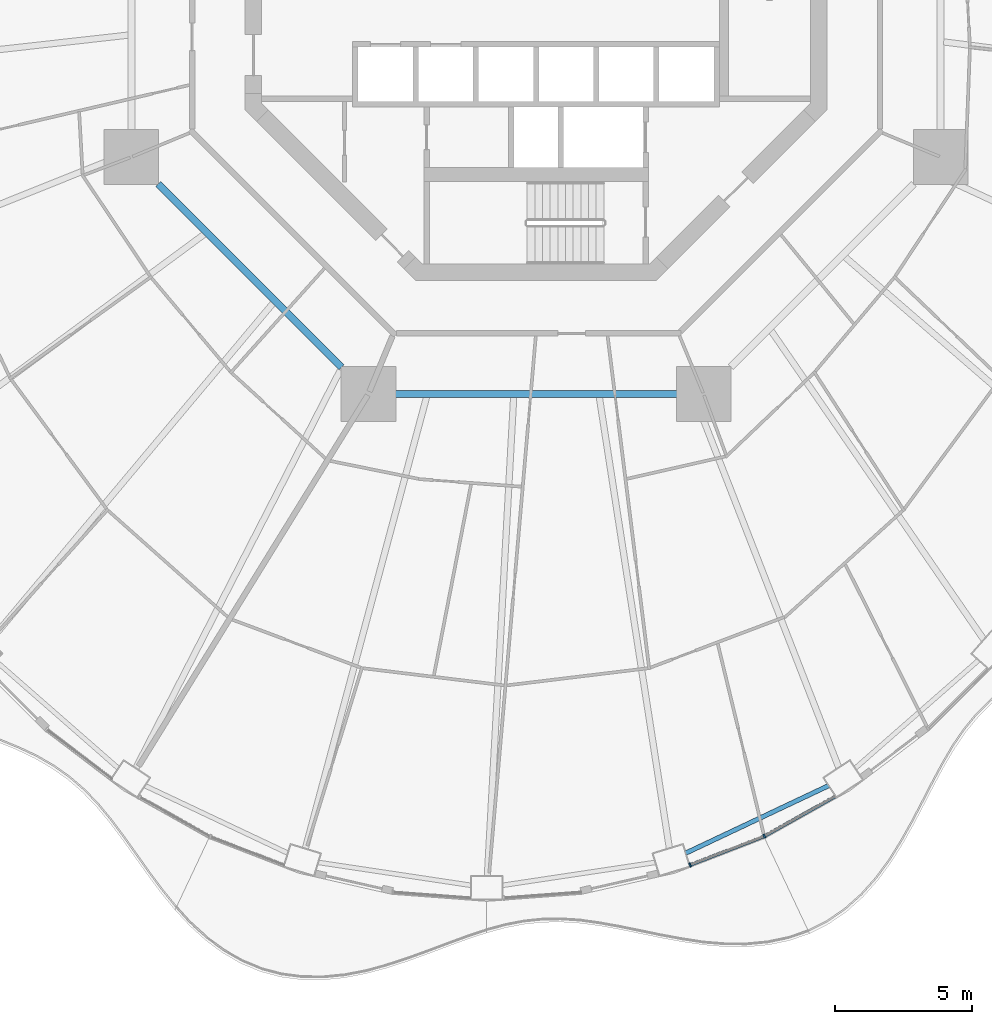
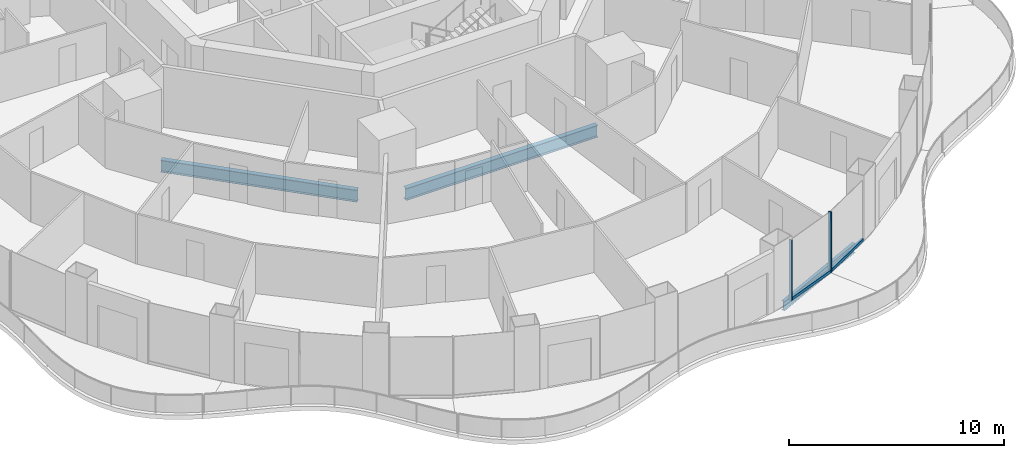
# One storey, part 4 of 20: 4 members, 3 beams, 2 elements without a shape of their own.
"""IFC4 building model written with IfcOpenShell, lengths in metres."""

from ifc_helpers import new_model, si_unit, direction, frame, origin, origin_2d, place, context, subcontext, project, spatial, rectangle, i_section, extrude, material, layer, layer_set, material_profile, profile_set, type_object, element, aggregate, save


model = new_model("IFC4")

# Units and contexts
model_context = context("Model", 3, precision=1e-05, world=origin(), true_north=direction((0.0, 1.0)))
body_context = subcontext(model_context, "Body", "Model", "MODEL_VIEW")
ifc_project = project(units=[si_unit("LENGTHUNIT", "METRE"), si_unit("AREAUNIT", "SQUARE_METRE"), si_unit("VOLUMEUNIT", "CUBIC_METRE"), si_unit("PLANEANGLEUNIT", "RADIAN"), si_unit("MASSUNIT", "GRAM", prefix="KILO")], contexts=[model_context])

# Site, building, storey
site_placement = place(None, origin())
site = spatial("IfcSite", under=ifc_project, at=site_placement, CompositionType="ELEMENT")
building_placement = place(site_placement, origin())
building = spatial("IfcBuilding", under=site, at=building_placement, Name="Nagisa Residences", CompositionType="ELEMENT")
storey_placement = place(building_placement, frame((0.0, 0.0, 145.5)))
storey = spatial("IfcBuildingStorey", under=building, at=storey_placement, Name="L36", CompositionType="ELEMENT", Elevation=145.5)

# Curtain wall, member
ifc_material_1 = material(Name="Concrete-coloured aluminium curtain wall system", Category="concrete")
ifc_layer = layer(ifc_material_1, 0.159912109375)
ifc_layer_set = layer_set([ifc_layer], Name="CW1 CURTAIN WALL")
curtain_wall_type = type_object("IfcCurtainWallType", Name="CW1 CURTAIN WALL", PredefinedType="NOTDEFINED", material=ifc_layer_set)
curtain_wall_1_placement = place(storey_placement, origin())
curtain_wall_1 = element("IfcCurtainWall", 1, at=curtain_wall_1_placement, inside=storey, type_object=curtain_wall_type, Name="cw:CW1:L36:38", PredefinedType="NOTDEFINED")
ifc_material_2 = material(Name="Concrete-coloured aluminium", Category="concrete")
ifc_material_profile_1 = material_profile(ifc_material_2, rectangle(XDim=0.159912109375, YDim=0.06005859375, at=origin_2d()), Name="CW1 MULLION 160x60")
ifc_profile_set_1 = profile_set([ifc_material_profile_1], Name="Concrete-coloured aluminium")
member_type_1 = type_object("IfcMemberType", Name="CW1 MULLION 160x60", PredefinedType="MULLION", material=ifc_profile_set_1)
member_1_placement = place(storey_placement, frame((5.626708984375, -31.982177734375, 0.0), z_axis=(0.0, 0.0, 1.0), x_axis=(-0.360327770268, 0.932825759707, 0.0)))
member_1 = element("IfcMember", 2, at=member_1_placement, type_object=member_type_1, Name="CW1 mullion", PredefinedType="MULLION", context=body_context, shape_type="SweptSolid", body=[
    extrude(rectangle(XDim=0.159912109375, YDim=0.06005859375, at=origin_2d()), origin(), (0.0, 0.0, 1.0), 3.43994140625),
])

curtain_wall_2_placement = place(storey_placement, origin())
curtain_wall_2 = element("IfcCurtainWall", 3, at=curtain_wall_2_placement, inside=storey, type_object=curtain_wall_type, Name="cw:CW1:L36:39", PredefinedType="NOTDEFINED")
member_2_placement = place(storey_placement, frame((8.341552734375, -30.9296875, 0.0), z_axis=(0.0, 0.0, 1.0), x_axis=(-0.489376918501, 0.872072377523, 0.0)))
member_2 = element("IfcMember", 4, at=member_2_placement, type_object=member_type_1, Name="CW1 mullion", PredefinedType="MULLION", context=body_context, shape_type="SweptSolid", body=[
    extrude(rectangle(XDim=0.159912109375, YDim=0.06005859375, at=origin_2d()), origin(), (0.0, 0.0, 1.0), 3.43994140625),
])

# Member
ifc_material_3 = material(Name="Concrete-coloured aluminium", Category="concrete")
ifc_material_profile_2 = material_profile(ifc_material_3, rectangle(XDim=0.1201171875, YDim=0.14990234375, at=origin_2d()), Name="CW1 TRANSOM 120x150")
ifc_profile_set_2 = profile_set([ifc_material_profile_2], Name="Concrete-coloured aluminium")
member_type_2 = type_object("IfcMemberType", Name="CW1 TRANSOM 120x150", PredefinedType="USERDEFINED", material=ifc_profile_set_2)
member_3_placement = place(storey_placement, frame((5.5986328125, -31.992919921875, 0.074951171875), z_axis=(0.932845344347, 0.360277064952, 0.0), x_axis=(-0.360277064952, 0.932845344347, 0.0)))
member_3 = element("IfcMember", 5, at=member_3_placement, type_object=member_type_2, Name="CW1 transom", ObjectType="TRANSOM", PredefinedType="USERDEFINED", context=body_context, shape_type="SweptSolid", body=[
    extrude(rectangle(XDim=0.1201171875, YDim=0.14990234375, at=origin_2d()), origin(), (0.0, 0.0, 1.0), 2.92333984375),
])

aggregate(curtain_wall_1, [member_1, member_3])

member_4_placement = place(storey_placement, frame((8.3154296875, -30.944580078125, 0.074951171875), z_axis=(0.87204719449, 0.4894217921, 0.0), x_axis=(-0.4894217921, 0.87204719449, 0.0)))
member_4 = element("IfcMember", 6, at=member_4_placement, type_object=member_type_2, Name="CW1 transom", ObjectType="TRANSOM", PredefinedType="USERDEFINED", context=body_context, shape_type="SweptSolid", body=[
    extrude(rectangle(XDim=0.1201171875, YDim=0.14990234375, at=origin_2d()), origin(), (0.0, 0.0, 1.0), 2.969482421875),
])

aggregate(curtain_wall_2, [member_2, member_4])

# Beams
ifc_material_4 = material(Name="Steel ASTM A572 Gr 50", Category="steel")
ifc_material_profile_3 = material_profile(ifc_material_4, i_section(OverallWidth=0.25390625, OverallDepth=0.68408203125, WebThickness=0.012451171875, FlangeThickness=0.018798828125, at=origin_2d()), Name="W690x140")
ifc_profile_set_3 = profile_set([ifc_material_profile_3], Name="Steel ASTM A572 Gr 50")
beam_type_1 = type_object("IfcBeamType", Name="Inner ring beam W690x140", PredefinedType="BEAM", material=ifc_profile_set_3)
beam_1_placement = place(storey_placement, frame((-13.796142578125, -7.10888671875, -0.60205078125), z_axis=(0.707106781187, -0.707106781187, 0.0), x_axis=(0.707106781187, 0.707106781187, 0.0)))
element("IfcBeam", 7, at=beam_1_placement, inside=storey, type_object=beam_type_1, Name="beam:L36:ib5", PredefinedType="BEAM", context=body_context, shape_type="SweptSolid", body=[
    extrude(i_section(OverallWidth=0.25390625, OverallDepth=0.68408203125, WebThickness=0.012451171875, FlangeThickness=0.018798828125, at=origin_2d()), origin(), (0.0, 0.0, 1.0), 9.457275390625),
])
beam_2_placement = place(storey_placement, frame((-5.142822265625, -14.781982421875, -0.60205078125), z_axis=(1.0, 0.0, 0.0), x_axis=(0.0, 1.0, 0.0)))
element("IfcBeam", 8, at=beam_2_placement, inside=storey, type_object=beam_type_1, Name="beam:L36:ib6", PredefinedType="BEAM", context=body_context, shape_type="SweptSolid", body=[
    extrude(i_section(OverallWidth=0.25390625, OverallDepth=0.68408203125, WebThickness=0.012451171875, FlangeThickness=0.018798828125, at=origin_2d()), origin(), (0.0, 0.0, 1.0), 10.28564453125),
])
ifc_material_5 = material(Name="Steel ASTM A572 Gr 50", Category="steel")
ifc_material_profile_4 = material_profile(ifc_material_5, i_section(OverallWidth=0.166015625, OverallDepth=0.534912109375, WebThickness=0.01025390625, FlangeThickness=0.0166015625, at=origin_2d()), Name="W530x85")
ifc_profile_set_4 = profile_set([ifc_material_profile_4], Name="Steel ASTM A572 Gr 50")
beam_type_2 = type_object("IfcBeamType", Name="Perimeter ring beam W530x85", PredefinedType="BEAM", material=ifc_profile_set_4)
beam_3_placement = place(storey_placement, frame((5.468505859375, -31.55029296875, -0.527587890625), z_axis=(0.904186034847, 0.427138870143, 0.0), x_axis=(-0.427138870143, 0.904186034847, 0.0)))
element("IfcBeam", 9, at=beam_3_placement, inside=storey, type_object=beam_type_2, Name="beam:L36:pb20", PredefinedType="BEAM", context=body_context, shape_type="SweptSolid", body=[
    extrude(i_section(OverallWidth=0.166015625, OverallDepth=0.534912109375, WebThickness=0.01025390625, FlangeThickness=0.0166015625, at=origin_2d()), origin(), (0.0, 0.0, 1.0), 5.772216796875),
])

save(model, "model.ifc")
